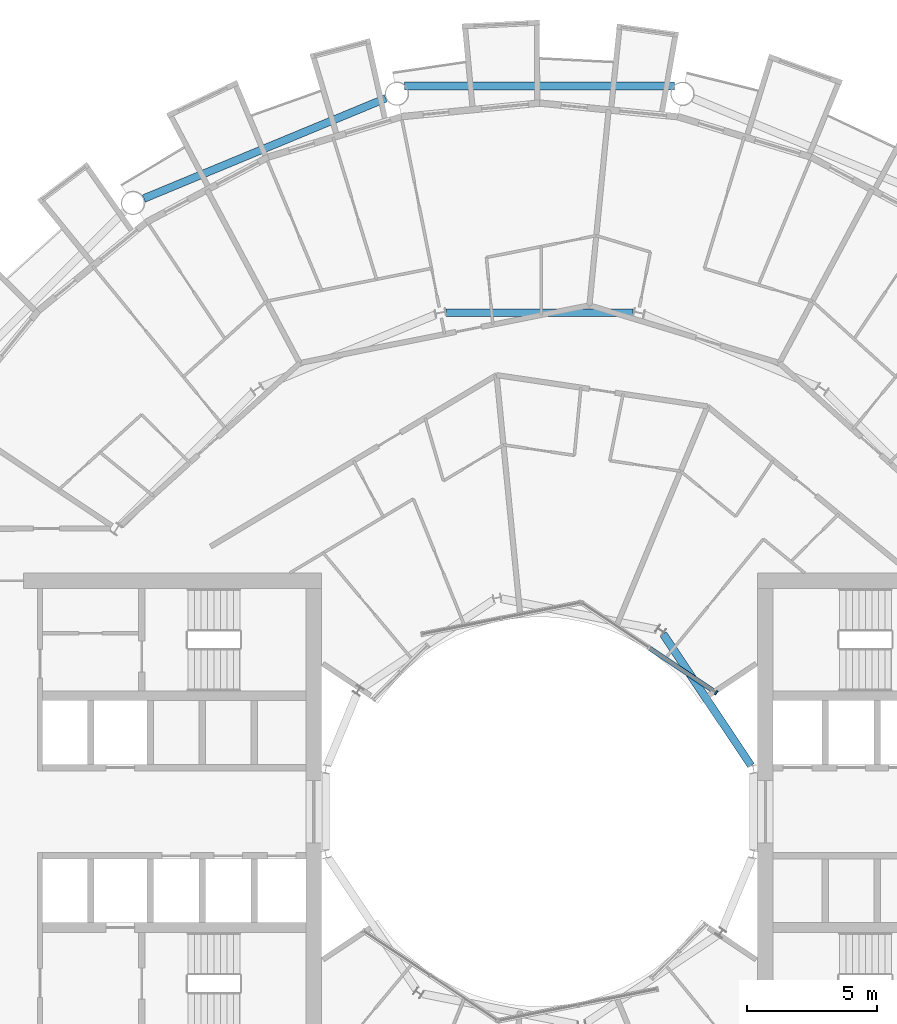
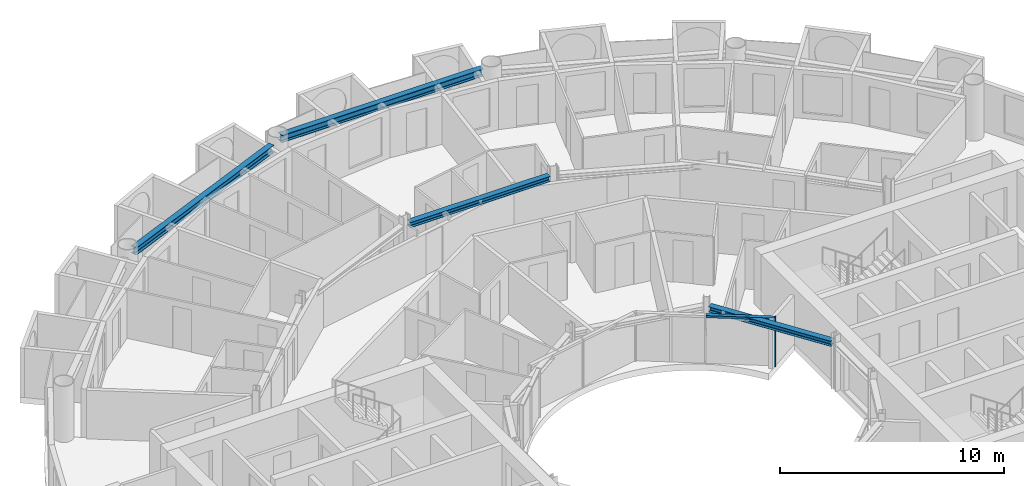
# One storey, part 9 of 27: 4 beams, 2 members, 1 element without a shape of its own.
"""IFC4 building model written with IfcOpenShell, lengths in metres."""

from ifc_helpers import new_model, si_unit, direction, frame, origin, origin_2d, place, context, subcontext, project, spatial, rectangle, i_section, extrude, material, layer, layer_set, material_profile, profile_set, type_object, element, aggregate, save


model = new_model("IFC4")

# Units and contexts
model_context = context("Model", 3, precision=1e-05, world=origin(), true_north=direction((0.0, 1.0)))
body_context = subcontext(model_context, "Body", "Model", "MODEL_VIEW")
ifc_project = project(units=[si_unit("LENGTHUNIT", "METRE"), si_unit("AREAUNIT", "SQUARE_METRE"), si_unit("VOLUMEUNIT", "CUBIC_METRE"), si_unit("PLANEANGLEUNIT", "RADIAN"), si_unit("MASSUNIT", "GRAM", prefix="KILO")], contexts=[model_context])

# Site, building, storey
site_placement = place(None, origin())
site = spatial("IfcSite", under=ifc_project, at=site_placement, CompositionType="ELEMENT")
building_placement = place(site_placement, origin())
building = spatial("IfcBuilding", under=site, at=building_placement, Name="Maasbend Ring Residences", CompositionType="ELEMENT")
storey_placement = place(building_placement, frame((0.0, 0.0, 136.050048828125)))
storey = spatial("IfcBuildingStorey", under=building, at=storey_placement, Name="L39", CompositionType="ELEMENT", Elevation=136.050048828125)

# Curtain wall, members
ifc_material_1 = material(Name="Aluminium and clear glass", Category="aluminium")
ifc_layer = layer(ifc_material_1, 0.179931640625)
ifc_layer_set = layer_set([ifc_layer], Name="CW-W")
curtain_wall_type = type_object("IfcCurtainWallType", Name="CW-W", PredefinedType="NOTDEFINED", material=ifc_layer_set)
curtain_wall_placement = place(storey_placement, origin())
curtain_wall = element("IfcCurtainWall", 1, at=curtain_wall_placement, inside=storey, type_object=curtain_wall_type, Name="Well curtain wall N1", PredefinedType="NOTDEFINED")
ifc_material_2 = material(Name="Aluminium 6063-T6", Category="aluminium")
ifc_material_profile_1 = material_profile(ifc_material_2, rectangle(XDim=0.179931640625, YDim=0.06005859375, at=origin_2d()), Name="AL 180x60")
ifc_profile_set_1 = profile_set([ifc_material_profile_1], Name="Aluminium 6063-T6")
member_type_1 = type_object("IfcMemberType", Name="CWM-W", PredefinedType="MULLION", material=ifc_profile_set_1)
member_1_placement = place(storey_placement, frame((6.805908203125, 4.580810546875, 0.0), z_axis=(0.0, 0.0, 1.0), x_axis=(-0.55557023302, -0.831469612303, 0.0)))
member_1 = element("IfcMember", 2, at=member_1_placement, type_object=member_type_1, Name="Mullion well face", PredefinedType="MULLION", context=body_context, shape_type="SweptSolid", body=[
    extrude(rectangle(XDim=0.179931640625, YDim=0.06005859375, at=origin_2d()), origin(), (0.0, 0.0, 1.0), 2.64990234375),
])
ifc_material_3 = material(Name="Aluminium 6063-T6", Category="aluminium")
ifc_material_profile_2 = material_profile(ifc_material_3, rectangle(XDim=0.179931640625, YDim=0.1201171875, at=origin_2d()), Name="AL 180x120")
ifc_profile_set_2 = profile_set([ifc_material_profile_2], Name="Aluminium 6063-T6")
member_type_2 = type_object("IfcMemberType", Name="CWT-W", PredefinedType="USERDEFINED", material=ifc_profile_set_2)
member_2_placement = place(storey_placement, frame((6.781005859375, 4.59765625, 2.58984375), z_axis=(-0.831496422459, 0.555530106689, 0.0), x_axis=(-0.555530106689, -0.831496422459, 0.0)))
member_2 = element("IfcMember", 3, at=member_2_placement, type_object=member_type_2, Name="Transom well face", ObjectType="TRANSOM", PredefinedType="USERDEFINED", context=body_context, shape_type="SweptSolid", body=[
    extrude(rectangle(XDim=0.179931640625, YDim=0.1201171875, at=origin_2d()), origin(), (0.0, 0.0, 1.0), 3.053955078125),
])
aggregate(curtain_wall, [member_1, member_2])

# Beams
ifc_material_4 = material(Name="Steel S355J2", Category="steel")
ifc_material_profile_3 = material_profile(ifc_material_4, i_section(OverallWidth=0.300048828125, OverallDepth=0.2900390625, WebThickness=0.008544921875, FlangeThickness=0.013916015625, FilletRadius=0.027099609375, at=origin_2d()), Name="HEA 300")
ifc_profile_set_3 = profile_set([ifc_material_profile_3], Name="Steel S355J2")
beam_type_1 = type_object("IfcBeamType", Name="Corridor ring beam HEA 300", PredefinedType="BEAM", material=ifc_profile_set_3)
beam_1_placement = place(storey_placement, frame((3.603515625, 19.223388671875, 2.5048828125), z_axis=(-1.0, 0.0, 0.0), x_axis=(0.0, -1.0, 0.0)))
element("IfcBeam", 4, at=beam_1_placement, inside=storey, type_object=beam_type_1, Name="Corridor ring beam", PredefinedType="BEAM", context=body_context, shape_type="SweptSolid", body=[
    extrude(i_section(OverallWidth=0.300048828125, OverallDepth=0.2900390625, WebThickness=0.008544921875, FlangeThickness=0.013916015625, FilletRadius=0.027099609375, at=origin_2d()), origin(), (0.0, 0.0, 1.0), 7.20703125),
])
ifc_material_5 = material(Name="Steel S355J2", Category="steel")
ifc_material_profile_4 = material_profile(ifc_material_5, i_section(OverallWidth=0.300048828125, OverallDepth=0.39990234375, WebThickness=0.013427734375, FlangeThickness=0.02392578125, FilletRadius=0.027099609375, at=origin_2d()), Name="HEB 400")
ifc_profile_set_4 = profile_set([ifc_material_profile_4], Name="Steel S355J2")
beam_type_2 = type_object("IfcBeamType", Name="Spandrel ring beam HEB 400", PredefinedType="SPANDREL", material=ifc_profile_set_4)
beam_2_placement = place(storey_placement, frame((5.194580078125, 27.9580078125, 2.449951171875), z_axis=(-1.0, 0.0, 0.0), x_axis=(0.0, -1.0, 0.0)))
element("IfcBeam", 5, at=beam_2_placement, inside=storey, type_object=beam_type_2, Name="Spandrel ring beam", PredefinedType="SPANDREL", context=body_context, shape_type="SweptSolid", body=[
    extrude(i_section(OverallWidth=0.300048828125, OverallDepth=0.39990234375, WebThickness=0.013427734375, FlangeThickness=0.02392578125, FilletRadius=0.027099609375, at=origin_2d()), origin(), (0.0, 0.0, 1.0), 10.38916015625),
])
beam_3_placement = place(storey_placement, frame((-5.923583984375, 27.483154296875, 2.449951171875), z_axis=(-0.92388529709, -0.382669515144, 0.0), x_axis=(0.382669515144, -0.92388529709, 0.0)))
element("IfcBeam", 6, at=beam_3_placement, inside=storey, type_object=beam_type_2, Name="Spandrel ring beam", PredefinedType="SPANDREL", context=body_context, shape_type="SweptSolid", body=[
    extrude(i_section(OverallWidth=0.300048828125, OverallDepth=0.39990234375, WebThickness=0.013427734375, FlangeThickness=0.02392578125, FilletRadius=0.027099609375, at=origin_2d()), origin(), (0.0, 0.0, 1.0), 10.089111328125),
])
ifc_material_6 = material(Name="Steel S355J2", Category="steel")
ifc_material_profile_5 = material_profile(ifc_material_6, i_section(OverallWidth=0.300048828125, OverallDepth=0.2900390625, WebThickness=0.008544921875, FlangeThickness=0.013916015625, FilletRadius=0.027099609375, at=origin_2d()), Name="HEA 300")
ifc_profile_set_5 = profile_set([ifc_material_profile_5], Name="Steel S355J2")
beam_type_3 = type_object("IfcBeamType", Name="Well edge beam HEA 300", PredefinedType="BEAM", material=ifc_profile_set_5)
beam_4_placement = place(storey_placement, frame((8.1484375, 1.773681640625, 2.5048828125), z_axis=(-0.555558236289, 0.831477628137, 0.0), x_axis=(-0.831477628137, -0.555558236289, 0.0)))
element("IfcBeam", 7, at=beam_4_placement, inside=storey, type_object=beam_type_3, Name="Well edge beam", PredefinedType="BEAM", context=body_context, shape_type="SweptSolid", body=[
    extrude(i_section(OverallWidth=0.300048828125, OverallDepth=0.2900390625, WebThickness=0.008544921875, FlangeThickness=0.013916015625, FilletRadius=0.027099609375, at=origin_2d()), origin(), (0.0, 0.0, 1.0), 6.1044921875),
])

save(model, "model.ifc")
